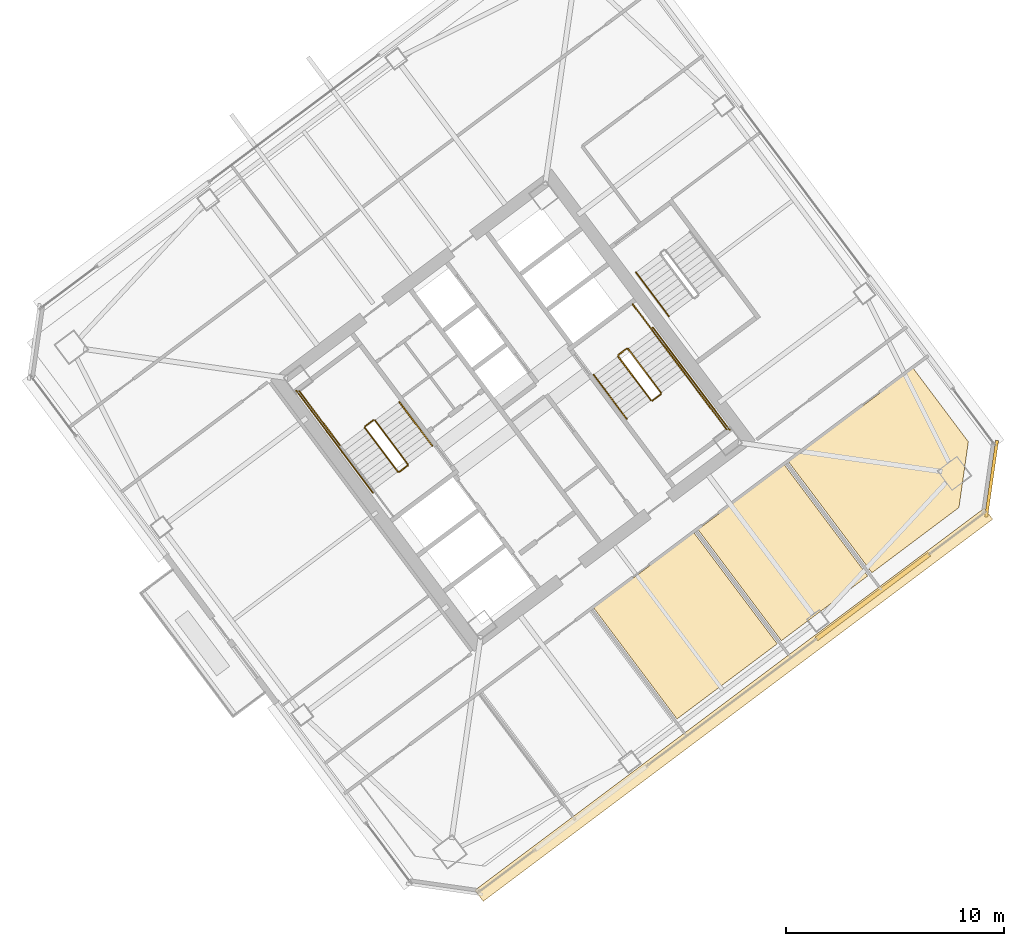
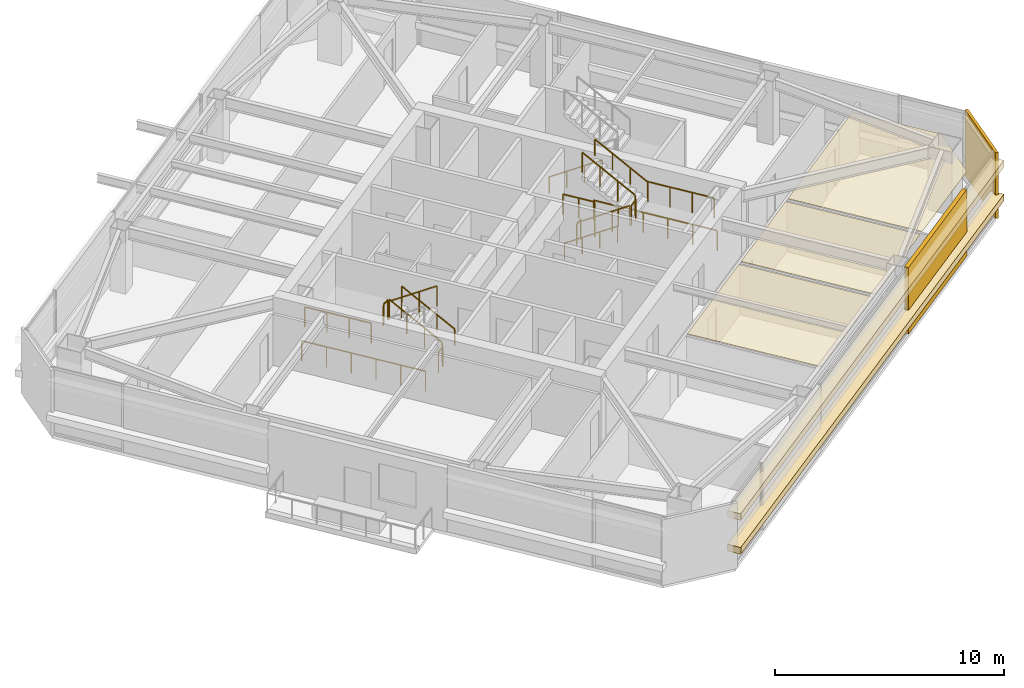
# One storey, part 39 of 41: 17 railings, 7 coverings.
"""IFC4 building model written with IfcOpenShell, lengths in metres."""

import ifcopenshell
import ifcopenshell.guid

model = None  # the IFC model being written
_history = None  # IfcOwnerHistory: only IFC2X3 demands one
_inside = {}  # id of a spatial element -> (the spatial element, [elements in it])
_under = {}  # id of a project, library or spatial element -> (it, [spatial elements below it])
_declared = {}  # id of a project -> (the project, [libraries it declares])
_typed = {}  # id of a type object -> (the type object, [elements of that type])
_made_of = {}  # id of a material, layer set ... -> (it, [elements and type objects made of it])


def new_model(schema):
    """Start an empty IFC model of exactly this schema.

    Asked for "IFC4X3", IfcOpenShell would pick the latest addendum, in which some entities
    have other attributes; the version numbers below select the first issue.
    IFC2X3 requires an IfcOwnerHistory on every rooted entity: one is made here for all.
    """
    global model, _history
    if schema == "IFC4X3":
        model = ifcopenshell.file(schema_version=(4, 3, 0, 0))
    else:
        model = ifcopenshell.file(schema=schema)
    _inside.clear()
    _under.clear()
    _declared.clear()
    _typed.clear()
    _made_of.clear()
    _history = None
    if model.schema == "IFC2X3":
        org = make("IfcOrganization", Name="unknown")
        user = make(
            "IfcPersonAndOrganization",
            ThePerson=make("IfcPerson", FamilyName="unknown"),
            TheOrganization=org,
        )
        app = make(
            "IfcApplication",
            ApplicationDeveloper=org,
            Version="unknown",
            ApplicationFullName="unknown",
            ApplicationIdentifier="unknown",
        )
        _history = make(
            "IfcOwnerHistory",
            OwningUser=user,
            OwningApplication=app,
            ChangeAction="ADDED",
            CreationDate=0,
        )
    return model


def make(cls, **values):
    """One entity of the class cls with the attributes given. An attribute that is None is left unset."""
    return model.create_entity(
        cls, **{name: value for name, value in values.items() if value is not None}
    )


def rooted(cls, **values):
    """An entity with a GlobalId (a new one), such as an element, a storey or a relation."""
    return make(cls, GlobalId=ifcopenshell.guid.new(), OwnerHistory=_history, **values)


def si_unit(unit_type, name, prefix=None):
    """IfcSIUnit, for example si_unit("LENGTHUNIT", "METRE", prefix="MILLI")."""
    return make("IfcSIUnit", UnitType=unit_type, Prefix=prefix, Name=name)


def assignment(units):
    """IfcUnitAssignment: the units of a project."""
    return None if units is None else make("IfcUnitAssignment", Units=units)


def point(xyz):
    """IfcCartesianPoint."""
    return None if xyz is None else make("IfcCartesianPoint", Coordinates=xyz)


def direction(xyz):
    """IfcDirection."""
    return None if xyz is None else make("IfcDirection", DirectionRatios=xyz)


def frame(location, z_axis=None, x_axis=None):
    """IfcAxis2Placement3D, a coordinate frame: its origin and axes. An axis left out is left unset."""
    return make(
        "IfcAxis2Placement3D",
        Location=point(location),
        Axis=direction(z_axis),
        RefDirection=direction(x_axis),
    )


def frame_2d(location, x_axis=None):
    """IfcAxis2Placement2D, a coordinate frame in the plane: its origin and x axis."""
    return make(
        "IfcAxis2Placement2D", Location=point(location), RefDirection=direction(x_axis)
    )


def origin():
    """The frame at (0, 0, 0) with its axes left unset."""
    return frame((0.0, 0.0, 0.0))


def origin_2d():
    """The frame at (0, 0) in the plane with its x axis left unset."""
    return frame_2d((0.0, 0.0))


def place(relative_to, where):
    """IfcLocalPlacement: puts the frame where relative to a parent placement (None: the world)."""
    return make(
        "IfcLocalPlacement", PlacementRelTo=relative_to, RelativePlacement=where
    )


def context(
    kind, dimensions, precision=None, world=None, true_north=None, identifier=None
):
    """IfcGeometricRepresentationContext, for example the 3D "Model" context."""
    return make(
        "IfcGeometricRepresentationContext",
        ContextIdentifier=identifier,
        ContextType=kind,
        CoordinateSpaceDimension=dimensions,
        Precision=precision,
        WorldCoordinateSystem=world,
        TrueNorth=true_north,
    )


def subcontext(parent, identifier, kind, view, scale=None):
    """IfcGeometricRepresentationSubContext, for example "Body" below "Model"."""
    return make(
        "IfcGeometricRepresentationSubContext",
        ContextIdentifier=identifier,
        ContextType=kind,
        ParentContext=parent,
        TargetScale=scale,
        TargetView=view,
    )


def project(units=None, contexts=None):
    """IfcProject with its units and contexts."""
    return rooted(
        "IfcProject",
        Name="project",
        RepresentationContexts=contexts,
        UnitsInContext=assignment(units),
    )


def spatial(cls, under=None, at=None, **own):
    """A site, building, storey or space (cls), placed at a placement, below another one or the project."""
    s = rooted(cls, ObjectPlacement=at, **own)
    if under is not None:
        _under.setdefault(under.id(), (under, []))[1].append(s)
    return s


def polyline(points):
    """IfcPolyline through the points."""
    return make("IfcPolyline", Points=[point(p) for p in points])


def profile(cls, at=None, kind="AREA", **sizes):
    """A parametric profile (cls). Its sizes go by their IFC names, for example OverallWidth=200.0."""
    return make(cls, ProfileType=kind, Position=at, **sizes)


def rectangle(**sizes):
    """IfcRectangleProfileDef."""
    return profile("IfcRectangleProfileDef", **sizes)


def outline(outer, holes=None, kind="AREA"):
    """IfcArbitraryClosedProfileDef: a profile drawn as a closed curve; with holes, ...WithVoids."""
    if holes is None:
        return make("IfcArbitraryClosedProfileDef", ProfileType=kind, OuterCurve=outer)
    return make(
        "IfcArbitraryProfileDefWithVoids",
        ProfileType=kind,
        OuterCurve=outer,
        InnerCurves=holes,
    )


def extrude(swept, where, along, depth):
    """IfcExtrudedAreaSolid: the profile swept, set in the frame where, extruded along a direction by depth."""
    return make(
        "IfcExtrudedAreaSolid",
        SweptArea=swept,
        Position=where,
        ExtrudedDirection=direction(along),
        Depth=depth,
    )


def shape(context_of_items, identifier, shape_type, items):
    """IfcShapeRepresentation: the items that make up one representation, for example the "Body"."""
    return make(
        "IfcShapeRepresentation",
        ContextOfItems=context_of_items,
        RepresentationIdentifier=identifier,
        RepresentationType=shape_type,
        Items=items,
    )


def material(Name=None, Category=None):
    """IfcMaterial."""
    return make("IfcMaterial", Name=Name, Category=Category)


def layer(
    of_material, thickness, ventilated=None, Name=None, Category=None, Priority=None
):
    """IfcMaterialLayer: one layer of a wall or slab, of a material (None: an air gap)."""
    return make(
        "IfcMaterialLayer",
        Material=of_material,
        LayerThickness=thickness,
        IsVentilated=ventilated,
        Name=Name,
        Category=Category,
        Priority=Priority,
    )


def layer_set(layers, Name=None):
    """IfcMaterialLayerSet."""
    return make("IfcMaterialLayerSet", MaterialLayers=layers, LayerSetName=Name)


def made_of(thing, what):
    """Note that an element or type object is made of a material, layer set ...; save() writes the relation."""
    if what is not None:
        _made_of.setdefault(what.id(), (what, []))[1].append(thing)
    return thing


def type_object(cls, material=None, **own):
    """A type object (cls), such as IfcWallType, which elements share."""
    return made_of(rooted(cls, **own), material)


def element(
    cls,
    number,
    at=None,
    inside=None,
    cuts=None,
    type_object=None,
    material=None,
    context=None,
    identifier="Body",
    shape_type=None,
    held_by="IfcProductDefinitionShape",
    body=None,
    shapes=None,
    **own,
):
    """One element of the class cls, such as IfcWall. Its Tag is "e" and its number.

    at: its placement. inside: the storey or other place that contains it. cuts: it is an
    opening in that element (IfcRelVoidsElement). A single representation is given by context,
    identifier, shape_type and body (its items); several are given by shapes. held_by: the class
    of the entity that holds the representations. save() writes the other relations.
    """
    e = rooted(cls, Tag="e%d" % number, ObjectPlacement=at, **own)
    if body is not None:
        shapes = [shape(context, identifier, shape_type, body)]
    if shapes is not None:
        e.Representation = make(held_by, Representations=shapes)
    if inside is not None:
        _inside.setdefault(inside.id(), (inside, []))[1].append(e)
    if cuts is not None:
        rooted(
            "IfcRelVoidsElement", RelatingBuildingElement=cuts, RelatedOpeningElement=e
        )
    if type_object is not None:
        _typed.setdefault(type_object.id(), (type_object, []))[1].append(e)
    return made_of(e, material)


def aggregate(whole, parts):
    """IfcRelAggregates: a whole, such as a stair, and the parts it consists of."""
    return rooted("IfcRelAggregates", RelatingObject=whole, RelatedObjects=parts)


def save(model, path):
    """Write the relations noted so far, then the file.

    IfcRelAggregates (storeys below a building ...), IfcRelContainedInSpatialStructure (elements
    in a storey), IfcRelDefinesByType, IfcRelAssociatesMaterial and IfcRelDeclares: one each for
    every whole, place, type object, material and project.
    """
    for whole, parts in _under.values():
        aggregate(whole, parts)
    for where, things in _inside.values():
        rooted(
            "IfcRelContainedInSpatialStructure",
            RelatedElements=things,
            RelatingStructure=where,
        )
    for kind, things in _typed.values():
        rooted("IfcRelDefinesByType", RelatedObjects=things, RelatingType=kind)
    for what, things in _made_of.values():
        rooted("IfcRelAssociatesMaterial", RelatedObjects=things, RelatingMaterial=what)
    for by, libraries in _declared.values():
        rooted("IfcRelDeclares", RelatingContext=by, RelatedDefinitions=libraries)
    model.write(path)


model = new_model("IFC4")

# Units and contexts
model_context = context("Model", 3, precision=1e-05, world=origin(), true_north=direction((0.0, 1.0)))
body_context = subcontext(model_context, "Body", "Model", "MODEL_VIEW")
ifc_project = project(units=[si_unit("LENGTHUNIT", "METRE"), si_unit("AREAUNIT", "SQUARE_METRE"), si_unit("VOLUMEUNIT", "CUBIC_METRE"), si_unit("PLANEANGLEUNIT", "RADIAN"), si_unit("MASSUNIT", "GRAM", prefix="KILO")], contexts=[model_context])

# Site, building, storey
site_placement = place(None, origin())
site = spatial("IfcSite", under=ifc_project, at=site_placement, CompositionType="ELEMENT")
building_placement = place(site_placement, origin())
building = spatial("IfcBuilding", under=site, at=building_placement, Name="Tashvorn Skyway Center", CompositionType="ELEMENT")
storey_placement = place(building_placement, frame((0.0, 0.0, 174.75)))
storey = spatial("IfcBuildingStorey", under=building, at=storey_placement, Name="L47", CompositionType="ELEMENT", Elevation=174.75)

# Coverings
ifc_material_1 = material(Name="Precast concrete C40/50", Category="concrete")
ifc_layer_1 = layer(ifc_material_1, 0.199951171875)
ifc_layer_set_1 = layer_set([ifc_layer_1], Name="Precast concrete C40/50")
covering_type_1 = type_object("IfcCoveringType", Name="COV-BRACE-CLAD", PredefinedType="CLADDING", material=ifc_layer_set_1)
covering_1_placement = place(storey_placement, frame((130.548095703125, 23.43603515625, 0.0), z_axis=(0.0, 0.0, 1.0), x_axis=(-0.799999996291, -0.600000004945, 0.0)))
element("IfcCovering", 1, at=covering_1_placement, inside=storey, type_object=covering_type_1, Name="Tower 2 L47 South Unitised Curtain Wall Mega-Brace Cladding Band 1", PredefinedType="CLADDING", context=body_context, shape_type="SweptSolid", body=[
    extrude(rectangle(XDim=6.47998046875, YDim=0.199951171875, at=origin_2d()), origin(), (0.0, 0.0, 1.0), 3.550048828125),
])
ifc_material_2 = material(Name="Mineral-fibre acoustic ceiling tile on suspended grid")
ifc_layer_2 = layer(ifc_material_2, 0.02001953125)
ifc_layer_set_2 = layer_set([ifc_layer_2], Name="Mineral-fibre acoustic ceiling tile on suspended grid")
covering_type_2 = type_object("IfcCoveringType", Name="COV-CEIL-20", PredefinedType="CEILING", material=ifc_layer_set_2)
covering_2_placement = place(storey_placement, frame((0.0, 0.0, 2.702880859375)))
element("IfcCovering", 2, at=covering_2_placement, inside=storey, type_object=covering_type_2, Name="Tower 2 L47 Collaborative Studio Acoustic Ceiling", PredefinedType="CEILING", context=body_context, shape_type="SweptSolid", body=[
    extrude(outline(polyline([(117.7099609375, 22.919921875), (122.318115234375, 26.3759765625), (126.152099609375, 21.263916015625), (121.5439453125, 17.80810546875), (117.7099609375, 22.919921875)])), origin(), (0.0, 0.0, 1.0), 0.02001953125),
])
covering_3_placement = place(storey_placement, frame((0.0, 0.0, 2.702880859375)))
element("IfcCovering", 3, at=covering_3_placement, inside=storey, type_object=covering_type_2, Name="Tower 2 L47 Reading Lounge Acoustic Ceiling", PredefinedType="CEILING", context=body_context, shape_type="SweptSolid", body=[
    extrude(outline(polyline([(122.510009765625, 26.52001953125), (126.47802734375, 29.49609375), (130.31201171875, 24.384033203125), (126.343994140625, 21.407958984375), (122.510009765625, 26.52001953125)])), origin(), (0.0, 0.0, 1.0), 0.02001953125),
])
covering_4_placement = place(storey_placement, frame((0.0, 0.0, 2.702880859375)))
element("IfcCovering", 4, at=covering_4_placement, inside=storey, type_object=covering_type_2, Name="Tower 2 L47 Open Plan Office Acoustic Ceiling", PredefinedType="CEILING", context=body_context, shape_type="SweptSolid", body=[
    extrude(outline(polyline([(130.50390625, 24.528076171875), (126.669921875, 29.639892578125), (132.39794921875, 33.93603515625), (134.93603515625, 30.552001953125), (134.50390625, 27.528076171875), (130.50390625, 24.528076171875)])), origin(), (0.0, 0.0, 1.0), 0.02001953125),
])
ifc_material_3 = material(Name="Perforated ceramic-coated bronze aluminium solar screen", Category="aluminium")
ifc_layer_3 = layer(ifc_material_3, 0.85009765625)
ifc_layer_set_3 = layer_set([ifc_layer_3], Name="Perforated ceramic-coated bronze aluminium solar screen")
covering_type_3 = type_object("IfcCoveringType", Name="COV-SOLAR-BAND", PredefinedType="CLADDING", material=ifc_layer_set_3)
for number, where, z_axis, x_axis, name in (
    (5, (124.152099609375, 18.464111328125, 0.919921875), (0.0, 0.0, 1.0), (-0.799999996291, -0.600000004945, 0.0), "L47 Perforated Ceramic-Metal Solar Screen Louvre Band South 1"),
    (6, (124.152099609375, 18.464111328125, 2.7197265625), (0.0, 0.0, 1.0), (-0.799999996291, -0.600000004945, 0.0), "L47 Perforated Ceramic-Metal Solar Screen Louvre Band South 2"),
):
    element("IfcCovering", number, at=place(storey_placement, frame(where, z_axis=z_axis, x_axis=x_axis)), inside=storey, type_object=covering_type_3, Name=name, PredefinedType="CLADDING", context=body_context, shape_type="SweptSolid", body=[
        extrude(rectangle(XDim=29.280029296875, YDim=0.639892578125, at=origin_2d()), origin(), (0.0, 0.0, 1.0), 0.360107421875),
    ])
ifc_layer_4 = layer(ifc_material_1, 0.35009765625)
ifc_layer_set_4 = layer_set([ifc_layer_4], Name="Precast concrete C40/50")
covering_type_4 = type_object("IfcCoveringType", Name="COV-STONE-TRIM", PredefinedType="CLADDING", material=ifc_layer_set_4)
covering_5_placement = place(storey_placement, frame((136.008056640625, 28.85595703125, 0.02001953125), z_axis=(0.0, 0.0, 1.0), x_axis=(0.141421350118, 0.989949494535, 0.0)))
element("IfcCovering", 7, at=covering_5_placement, inside=storey, type_object=covering_type_4, Name="Tower 2 L47 SE Mojave Limestone Corner Quoin", PredefinedType="CLADDING", context=body_context, shape_type="SweptSolid", body=[
    extrude(rectangle(XDim=3.55419921875, YDim=0.139892578125, at=origin_2d()), origin(), (0.0, 0.0, 1.0), 3.510009765625),
])

# Railings
ifc_material_4 = material(Name="Brushed stainless steel 316", Category="steel")
railing_type_1 = type_object("IfcRailingType", Name="RAIL-HAND-920", PredefinedType="HANDRAIL", material=ifc_material_4)
railing_1_placement = place(storey_placement, frame((110.2880859375, 30.365966796875, 0.177490234375)))
element("IfcRailing", 8, at=railing_1_placement, inside=storey, type_object=railing_type_1, Name="L47 ST-T2-1 stair handrail 1", PredefinedType="HANDRAIL", context=body_context, shape_type="SweptSolid", body=[
    extrude(rectangle(XDim=0.048095703125, YDim=0.048095703125, at=origin_2d()), frame((0.0, 0.0, 0.8759765625), z_axis=(-0.506801609611, 0.675680931896, 0.535357270211), x_axis=(-0.799976749893, -0.600030998891, 0.0)), (0.0, 0.0, 1.0), 2.98388671875),
    extrude(rectangle(XDim=0.0419921875, YDim=0.0419921875, at=origin_2d()), origin(), (0.0, 0.0, 1.0), 0.851806640625),
    extrude(rectangle(XDim=0.0419921875, YDim=0.0419921875, at=origin_2d()), frame((-0.504150390625, 0.672119140625, 0.532470703125)), (0.0, 0.0, 1.0), 0.851806640625),
    extrude(rectangle(XDim=0.0419921875, YDim=0.0419921875, at=origin_2d()), frame((-1.008056640625, 1.343994140625, 1.06494140625)), (0.0, 0.0, 1.0), 0.851806640625),
    extrude(rectangle(XDim=0.0419921875, YDim=0.0419921875, at=origin_2d()), frame((-1.51220703125, 2.01611328125, 1.597412109375)), (0.0, 0.0, 1.0), 0.851806640625),
])
railing_2_placement = place(storey_placement, frame((117.7119140625, 33.634033203125, 0.177490234375)))
element("IfcRailing", 9, at=railing_2_placement, inside=storey, type_object=railing_type_1, Name="L47 ST-T2-2 stair handrail 1", PredefinedType="HANDRAIL", context=body_context, shape_type="SweptSolid", body=[
    extrude(rectangle(XDim=0.048095703125, YDim=0.048095703125, at=origin_2d()), frame((0.0, 0.0, 0.8759765625), z_axis=(0.506801609611, -0.675680931896, 0.535357270211), x_axis=(0.799976749893, 0.600030998891, 0.0)), (0.0, 0.0, 1.0), 2.98388671875),
    extrude(rectangle(XDim=0.0419921875, YDim=0.0419921875, at=origin_2d()), origin(), (0.0, 0.0, 1.0), 0.851806640625),
    extrude(rectangle(XDim=0.0419921875, YDim=0.0419921875, at=origin_2d()), frame((0.504150390625, -0.672119140625, 0.532470703125)), (0.0, 0.0, 1.0), 0.851806640625),
    extrude(rectangle(XDim=0.0419921875, YDim=0.0419921875, at=origin_2d()), frame((1.008056640625, -1.343994140625, 1.06494140625)), (0.0, 0.0, 1.0), 0.851806640625),
    extrude(rectangle(XDim=0.0419921875, YDim=0.0419921875, at=origin_2d()), frame((1.51220703125, -2.01611328125, 1.597412109375)), (0.0, 0.0, 1.0), 0.851806640625),
])
railing_3_placement = place(storey_placement, frame((121.927978515625, 33.64599609375, 1.952392578125)))
element("IfcRailing", 10, at=railing_3_placement, inside=storey, type_object=railing_type_1, Name="L47 ST-T2-2 stair handrail 2", PredefinedType="HANDRAIL", context=body_context, shape_type="SweptSolid", body=[
    extrude(rectangle(XDim=0.048095703125, YDim=0.048095703125, at=origin_2d()), frame((0.0, 0.0, 0.8759765625), z_axis=(-0.506718600913, 0.675679348675, 0.535437836974), x_axis=(-0.800023250257, -0.599968998406, 0.0)), (0.0, 0.0, 1.0), 2.98388671875),
    extrude(rectangle(XDim=0.0419921875, YDim=0.0419921875, at=origin_2d()), origin(), (0.0, 0.0, 1.0), 0.851806640625),
    extrude(rectangle(XDim=0.0419921875, YDim=0.0419921875, at=origin_2d()), frame((-0.50390625, 0.672119140625, 0.532470703125)), (0.0, 0.0, 1.0), 0.851806640625),
    extrude(rectangle(XDim=0.0419921875, YDim=0.0419921875, at=origin_2d()), frame((-1.008056640625, 1.343994140625, 1.065185546875)), (0.0, 0.0, 1.0), 0.851806640625),
    extrude(rectangle(XDim=0.0419921875, YDim=0.0419921875, at=origin_2d()), frame((-1.511962890625, 2.01611328125, 1.59765625)), (0.0, 0.0, 1.0), 0.851806640625),
])
railing_4_placement = place(storey_placement, frame((119.656005859375, 38.342041015625, 0.177490234375)))
element("IfcRailing", 11, at=railing_4_placement, inside=storey, type_object=railing_type_1, Name="L47 ST-T2-3 stair handrail 1", PredefinedType="HANDRAIL", context=body_context, shape_type="SweptSolid", body=[
    extrude(rectangle(XDim=0.048095703125, YDim=0.048095703125, at=origin_2d()), frame((0.0, 0.0, 0.8759765625), z_axis=(0.506740800098, -0.675708949977, 0.535379469569), x_axis=(0.800023250257, 0.599968998406, 0.0)), (0.0, 0.0, 1.0), 2.983642578125),
    extrude(rectangle(XDim=0.0419921875, YDim=0.0419921875, at=origin_2d()), origin(), (0.0, 0.0, 1.0), 0.851806640625),
    extrude(rectangle(XDim=0.0419921875, YDim=0.0419921875, at=origin_2d()), frame((0.50390625, -0.672119140625, 0.532470703125)), (0.0, 0.0, 1.0), 0.851806640625),
    extrude(rectangle(XDim=0.0419921875, YDim=0.0419921875, at=origin_2d()), frame((1.008056640625, -1.343994140625, 1.06494140625)), (0.0, 0.0, 1.0), 0.851806640625),
    extrude(rectangle(XDim=0.0419921875, YDim=0.0419921875, at=origin_2d()), frame((1.511962890625, -2.01611328125, 1.597412109375)), (0.0, 0.0, 1.0), 0.851806640625),
])
ifc_material_5 = material(Name="Painted galvanized steel S355", Category="steel")
railing_type_2 = type_object("IfcRailingType", Name="RAIL-STGUARD-1100", PredefinedType="GUARDRAIL", material=ifc_material_5)
railing_5_placement = place(storey_placement, frame((109.16796875, 29.52587890625, 0.177490234375)))
element("IfcRailing", 12, at=railing_5_placement, inside=storey, type_object=railing_type_2, Name="L47 ST-T2-1 stair guard 1", PredefinedType="GUARDRAIL", context=body_context, shape_type="SweptSolid", body=[
    extrude(rectangle(XDim=0.048095703125, YDim=0.048095703125, at=origin_2d()), frame((0.0, 0.0, 1.076171875), z_axis=(-0.506740800098, 0.675708949977, 0.535379469569), x_axis=(-0.800023250257, -0.599968998406, 0.0)), (0.0, 0.0, 1.0), 2.983642578125),
    extrude(rectangle(XDim=0.0419921875, YDim=0.0419921875, at=origin_2d()), origin(), (0.0, 0.0, 1.0), 1.052001953125),
    extrude(rectangle(XDim=0.0419921875, YDim=0.0419921875, at=origin_2d()), frame((-0.50390625, 0.672119140625, 0.532470703125)), (0.0, 0.0, 1.0), 1.052001953125),
    extrude(rectangle(XDim=0.0419921875, YDim=0.0419921875, at=origin_2d()), frame((-1.008056640625, 1.343994140625, 1.06494140625)), (0.0, 0.0, 1.0), 1.052001953125),
    extrude(rectangle(XDim=0.0419921875, YDim=0.0419921875, at=origin_2d()), frame((-1.511962890625, 2.01611328125, 1.597412109375)), (0.0, 0.0, 1.0), 1.052001953125),
])
railing_6_placement = place(storey_placement, frame((107.5859375, 31.552001953125, 1.77490234375)))
element("IfcRailing", 13, at=railing_6_placement, inside=storey, type_object=railing_type_2, Name="L47 ST-T2-1 stair guard 2", PredefinedType="GUARDRAIL", context=body_context, shape_type="SweptSolid", body=[
    extrude(rectangle(XDim=0.048095703125, YDim=0.048095703125, at=origin_2d()), frame((0.0, 0.0, 1.076171875), z_axis=(-0.799938970639, -0.600081363861, 0.0), x_axis=(0.600081363861, -0.799938970639, 0.0)), (0.0, 0.0, 1.0), 0.47998046875),
    extrude(rectangle(XDim=0.0419921875, YDim=0.0419921875, at=origin_2d()), origin(), (0.0, 0.0, 1.0), 1.052001953125),
    extrude(rectangle(XDim=0.0419921875, YDim=0.0419921875, at=origin_2d()), frame((-0.384033203125, -0.2880859375, 0.0)), (0.0, 0.0, 1.0), 1.052001953125),
])
railing_7_placement = place(storey_placement, frame((106.072021484375, 30.35400390625, 1.77490234375)))
element("IfcRailing", 14, at=railing_7_placement, inside=storey, type_object=railing_type_2, Name="L47 ST-T2-1 stair guard 3", PredefinedType="GUARDRAIL", context=body_context, shape_type="SweptSolid", body=[
    extrude(rectangle(XDim=0.048095703125, YDim=0.048095703125, at=origin_2d()), frame((0.0, 0.0, 1.076171875), z_axis=(-0.599987638607, 0.800009270896, 0.0), x_axis=(-0.800009270896, -0.599987638607, 0.0)), (0.0, 0.0, 1.0), 3.16015625),
    extrude(rectangle(XDim=0.0419921875, YDim=0.0419921875, at=origin_2d()), origin(), (0.0, 0.0, 1.0), 1.052001953125),
    extrude(rectangle(XDim=0.0419921875, YDim=0.0419921875, at=origin_2d()), frame((-0.632080078125, 0.8427734375, 0.0)), (0.0, 0.0, 1.0), 1.052001953125),
    extrude(rectangle(XDim=0.0419921875, YDim=0.0419921875, at=origin_2d()), frame((-1.263916015625, 1.685302734375, 0.0)), (0.0, 0.0, 1.0), 1.052001953125),
    extrude(rectangle(XDim=0.0419921875, YDim=0.0419921875, at=origin_2d()), frame((-1.89599609375, 2.528076171875, 0.0)), (0.0, 0.0, 1.0), 1.052001953125),
])
railing_8_placement = place(storey_placement, frame((107.19189453125, 31.194091796875, 1.952392578125)))
element("IfcRailing", 15, at=railing_8_placement, inside=storey, type_object=railing_type_2, Name="L47 ST-T2-1 stair guard 4", PredefinedType="GUARDRAIL", context=body_context, shape_type="SweptSolid", body=[
    extrude(rectangle(XDim=0.048095703125, YDim=0.048095703125, at=origin_2d()), frame((0.0, 0.0, 1.076171875), z_axis=(0.506779409603, -0.675651334276, 0.53541563714), x_axis=(0.799976749893, 0.600030998891, 0.0)), (0.0, 0.0, 1.0), 2.98388671875),
    extrude(rectangle(XDim=0.0419921875, YDim=0.0419921875, at=origin_2d()), origin(), (0.0, 0.0, 1.0), 1.052001953125),
    extrude(rectangle(XDim=0.0419921875, YDim=0.0419921875, at=origin_2d()), frame((0.504150390625, -0.672119140625, 0.532470703125)), (0.0, 0.0, 1.0), 1.052001953125),
    extrude(rectangle(XDim=0.0419921875, YDim=0.0419921875, at=origin_2d()), frame((1.008056640625, -1.343994140625, 1.065185546875)), (0.0, 0.0, 1.0), 1.052001953125),
    extrude(rectangle(XDim=0.0419921875, YDim=0.0419921875, at=origin_2d()), frame((1.51220703125, -2.01611328125, 1.59765625)), (0.0, 0.0, 1.0), 1.052001953125),
])
railing_9_placement = place(storey_placement, frame((109.157958984375, 29.4560546875, 0.0)))
element("IfcRailing", 16, at=railing_9_placement, inside=storey, type_object=railing_type_2, Name="L47 ST-T2-1 stair guard 5", PredefinedType="GUARDRAIL", context=body_context, shape_type="SweptSolid", body=[
    extrude(rectangle(XDim=0.048095703125, YDim=0.048095703125, at=origin_2d()), frame((0.0, 0.0, 1.076171875), z_axis=(-0.799938970639, -0.600081363861, 0.0), x_axis=(0.600081363861, -0.799938970639, 0.0)), (0.0, 0.0, 1.0), 0.47998046875),
    extrude(rectangle(XDim=0.0419921875, YDim=0.0419921875, at=origin_2d()), origin(), (0.0, 0.0, 1.0), 1.052001953125),
    extrude(rectangle(XDim=0.0419921875, YDim=0.0419921875, at=origin_2d()), frame((-0.384033203125, -0.2880859375, 0.0)), (0.0, 0.0, 1.0), 1.052001953125),
])
railing_10_placement = place(storey_placement, frame((107.56396484375, 28.197998046875, 0.0)))
element("IfcRailing", 17, at=railing_10_placement, inside=storey, type_object=railing_type_2, Name="L47 ST-T2-1 stair guard 7", PredefinedType="GUARDRAIL", context=body_context, shape_type="SweptSolid", body=[
    extrude(rectangle(XDim=0.048095703125, YDim=0.048095703125, at=origin_2d()), frame((0.0, 0.0, 1.076171875), z_axis=(-0.6, 0.8, 0.0), x_axis=(-0.8, -0.6, 0.0)), (0.0, 0.0, 1.0), 5.880126953125),
    extrude(rectangle(XDim=0.0419921875, YDim=0.0419921875, at=origin_2d()), origin(), (0.0, 0.0, 1.0), 1.052001953125),
    extrude(rectangle(XDim=0.0419921875, YDim=0.0419921875, at=origin_2d()), frame((-0.70556640625, 0.94091796875, 0.0)), (0.0, 0.0, 1.0), 1.052001953125),
    extrude(rectangle(XDim=0.0419921875, YDim=0.0419921875, at=origin_2d()), frame((-1.4111328125, 1.881591796875, 0.0)), (0.0, 0.0, 1.0), 1.052001953125),
    extrude(rectangle(XDim=0.0419921875, YDim=0.0419921875, at=origin_2d()), frame((-2.116943359375, 2.822509765625, 0.0)), (0.0, 0.0, 1.0), 1.052001953125),
    extrude(rectangle(XDim=0.0419921875, YDim=0.0419921875, at=origin_2d()), frame((-2.822509765625, 3.76318359375, 0.0)), (0.0, 0.0, 1.0), 1.052001953125),
    extrude(rectangle(XDim=0.0419921875, YDim=0.0419921875, at=origin_2d()), frame((-3.528076171875, 4.7041015625, 0.0)), (0.0, 0.0, 1.0), 1.052001953125),
])
railing_11_placement = place(storey_placement, frame((118.83203125, 34.47412109375, 0.177490234375)))
element("IfcRailing", 18, at=railing_11_placement, inside=storey, type_object=railing_type_2, Name="L47 ST-T2-2 stair guard 1", PredefinedType="GUARDRAIL", context=body_context, shape_type="SweptSolid", body=[
    extrude(rectangle(XDim=0.048095703125, YDim=0.048095703125, at=origin_2d()), frame((0.0, 0.0, 1.076171875), z_axis=(0.506740800098, -0.675708949977, 0.535379469569), x_axis=(0.800023250257, 0.599968998406, 0.0)), (0.0, 0.0, 1.0), 2.983642578125),
    extrude(rectangle(XDim=0.0419921875, YDim=0.0419921875, at=origin_2d()), origin(), (0.0, 0.0, 1.0), 1.052001953125),
    extrude(rectangle(XDim=0.0419921875, YDim=0.0419921875, at=origin_2d()), frame((0.50390625, -0.672119140625, 0.532470703125)), (0.0, 0.0, 1.0), 1.052001953125),
    extrude(rectangle(XDim=0.0419921875, YDim=0.0419921875, at=origin_2d()), frame((1.008056640625, -1.343994140625, 1.06494140625)), (0.0, 0.0, 1.0), 1.052001953125),
    extrude(rectangle(XDim=0.0419921875, YDim=0.0419921875, at=origin_2d()), frame((1.511962890625, -2.01611328125, 1.597412109375)), (0.0, 0.0, 1.0), 1.052001953125),
])
railing_12_placement = place(storey_placement, frame((120.4140625, 32.447998046875, 1.77490234375)))
element("IfcRailing", 19, at=railing_12_placement, inside=storey, type_object=railing_type_2, Name="L47 ST-T2-2 stair guard 2", PredefinedType="GUARDRAIL", context=body_context, shape_type="SweptSolid", body=[
    extrude(rectangle(XDim=0.048095703125, YDim=0.048095703125, at=origin_2d()), frame((0.0, 0.0, 1.076171875), z_axis=(0.799938970639, 0.600081363861, 0.0), x_axis=(-0.600081363861, 0.799938970639, 0.0)), (0.0, 0.0, 1.0), 0.47998046875),
    extrude(rectangle(XDim=0.0419921875, YDim=0.0419921875, at=origin_2d()), origin(), (0.0, 0.0, 1.0), 1.052001953125),
    extrude(rectangle(XDim=0.0419921875, YDim=0.0419921875, at=origin_2d()), frame((0.384033203125, 0.2880859375, 0.0)), (0.0, 0.0, 1.0), 1.052001953125),
])
railing_13_placement = place(storey_placement, frame((121.927978515625, 33.64599609375, 1.77490234375)))
element("IfcRailing", 20, at=railing_13_placement, inside=storey, type_object=railing_type_2, Name="L47 ST-T2-2 stair guard 3", PredefinedType="GUARDRAIL", context=body_context, shape_type="SweptSolid", body=[
    extrude(rectangle(XDim=0.048095703125, YDim=0.048095703125, at=origin_2d()), frame((0.0, 0.0, 1.076171875), z_axis=(0.599987638607, -0.800009270896, 0.0), x_axis=(0.800009270896, 0.599987638607, 0.0)), (0.0, 0.0, 1.0), 3.16015625),
    extrude(rectangle(XDim=0.0419921875, YDim=0.0419921875, at=origin_2d()), origin(), (0.0, 0.0, 1.0), 1.052001953125),
    extrude(rectangle(XDim=0.0419921875, YDim=0.0419921875, at=origin_2d()), frame((0.632080078125, -0.8427734375, 0.0)), (0.0, 0.0, 1.0), 1.052001953125),
    extrude(rectangle(XDim=0.0419921875, YDim=0.0419921875, at=origin_2d()), frame((1.263916015625, -1.685302734375, 0.0)), (0.0, 0.0, 1.0), 1.052001953125),
    extrude(rectangle(XDim=0.0419921875, YDim=0.0419921875, at=origin_2d()), frame((1.89599609375, -2.528076171875, 0.0)), (0.0, 0.0, 1.0), 1.052001953125),
])
railing_14_placement = place(storey_placement, frame((120.80810546875, 32.805908203125, 1.952392578125)))
element("IfcRailing", 21, at=railing_14_placement, inside=storey, type_object=railing_type_2, Name="L47 ST-T2-2 stair guard 4", PredefinedType="GUARDRAIL", context=body_context, shape_type="SweptSolid", body=[
    extrude(rectangle(XDim=0.048095703125, YDim=0.048095703125, at=origin_2d()), frame((0.0, 0.0, 1.076171875), z_axis=(-0.506779409603, 0.675651334276, 0.53541563714), x_axis=(-0.799976749893, -0.600030998891, 0.0)), (0.0, 0.0, 1.0), 2.98388671875),
    extrude(rectangle(XDim=0.0419921875, YDim=0.0419921875, at=origin_2d()), origin(), (0.0, 0.0, 1.0), 1.052001953125),
    extrude(rectangle(XDim=0.0419921875, YDim=0.0419921875, at=origin_2d()), frame((-0.504150390625, 0.672119140625, 0.532470703125)), (0.0, 0.0, 1.0), 1.052001953125),
    extrude(rectangle(XDim=0.0419921875, YDim=0.0419921875, at=origin_2d()), frame((-1.008056640625, 1.343994140625, 1.065185546875)), (0.0, 0.0, 1.0), 1.052001953125),
    extrude(rectangle(XDim=0.0419921875, YDim=0.0419921875, at=origin_2d()), frame((-1.51220703125, 2.01611328125, 1.59765625)), (0.0, 0.0, 1.0), 1.052001953125),
])
railing_15_placement = place(storey_placement, frame((118.842041015625, 34.5439453125, 0.0)))
element("IfcRailing", 22, at=railing_15_placement, inside=storey, type_object=railing_type_2, Name="L47 ST-T2-2 stair guard 5", PredefinedType="GUARDRAIL", context=body_context, shape_type="SweptSolid", body=[
    extrude(rectangle(XDim=0.048095703125, YDim=0.048095703125, at=origin_2d()), frame((0.0, 0.0, 1.076171875), z_axis=(0.799938970639, 0.600081363861, 0.0), x_axis=(-0.600081363861, 0.799938970639, 0.0)), (0.0, 0.0, 1.0), 0.47998046875),
    extrude(rectangle(XDim=0.0419921875, YDim=0.0419921875, at=origin_2d()), origin(), (0.0, 0.0, 1.0), 1.052001953125),
    extrude(rectangle(XDim=0.0419921875, YDim=0.0419921875, at=origin_2d()), frame((0.384033203125, 0.2880859375, 0.0)), (0.0, 0.0, 1.0), 1.052001953125),
])
railing_16_placement = place(storey_placement, frame((119.50390625, 36.8779296875, 0.0)))
element("IfcRailing", 23, at=railing_16_placement, inside=storey, type_object=railing_type_2, Name="L47 ST-T2-2 stair guard 6", PredefinedType="GUARDRAIL", context=body_context, shape_type="SweptSolid", body=[
    extrude(rectangle(XDim=0.048095703125, YDim=0.048095703125, at=origin_2d()), frame((0.0, 0.0, 1.076171875), z_axis=(0.600102796382, -0.799922892393, 0.0), x_axis=(0.799922892393, 0.600102796382, 0.0)), (0.0, 0.0, 1.0), 1.52001953125),
    extrude(rectangle(XDim=0.0419921875, YDim=0.0419921875, at=origin_2d()), origin(), (0.0, 0.0, 1.0), 1.052001953125),
    extrude(rectangle(XDim=0.0419921875, YDim=0.0419921875, at=origin_2d()), frame((0.4560546875, -0.60791015625, 0.0)), (0.0, 0.0, 1.0), 1.052001953125),
    extrude(rectangle(XDim=0.0419921875, YDim=0.0419921875, at=origin_2d()), frame((0.912109375, -1.2158203125, 0.0)), (0.0, 0.0, 1.0), 1.052001953125),
])
railing_17_placement = place(storey_placement, frame((120.43603515625, 35.802001953125, 0.0)))
element("IfcRailing", 24, at=railing_17_placement, inside=storey, type_object=railing_type_2, Name="L47 ST-T2-2 stair guard 7", PredefinedType="GUARDRAIL", context=body_context, shape_type="SweptSolid", body=[
    extrude(rectangle(XDim=0.048095703125, YDim=0.048095703125, at=origin_2d()), frame((0.0, 0.0, 1.076171875), z_axis=(0.6, -0.8, 0.0), x_axis=(0.8, 0.6, 0.0)), (0.0, 0.0, 1.0), 5.880126953125),
    extrude(rectangle(XDim=0.0419921875, YDim=0.0419921875, at=origin_2d()), origin(), (0.0, 0.0, 1.0), 1.052001953125),
    extrude(rectangle(XDim=0.0419921875, YDim=0.0419921875, at=origin_2d()), frame((0.70556640625, -0.94091796875, 0.0)), (0.0, 0.0, 1.0), 1.052001953125),
    extrude(rectangle(XDim=0.0419921875, YDim=0.0419921875, at=origin_2d()), frame((1.4111328125, -1.881591796875, 0.0)), (0.0, 0.0, 1.0), 1.052001953125),
    extrude(rectangle(XDim=0.0419921875, YDim=0.0419921875, at=origin_2d()), frame((2.116943359375, -2.822509765625, 0.0)), (0.0, 0.0, 1.0), 1.052001953125),
    extrude(rectangle(XDim=0.0419921875, YDim=0.0419921875, at=origin_2d()), frame((2.822509765625, -3.76318359375, 0.0)), (0.0, 0.0, 1.0), 1.052001953125),
    extrude(rectangle(XDim=0.0419921875, YDim=0.0419921875, at=origin_2d()), frame((3.528076171875, -4.7041015625, 0.0)), (0.0, 0.0, 1.0), 1.052001953125),
])

save(model, "model.ifc")
